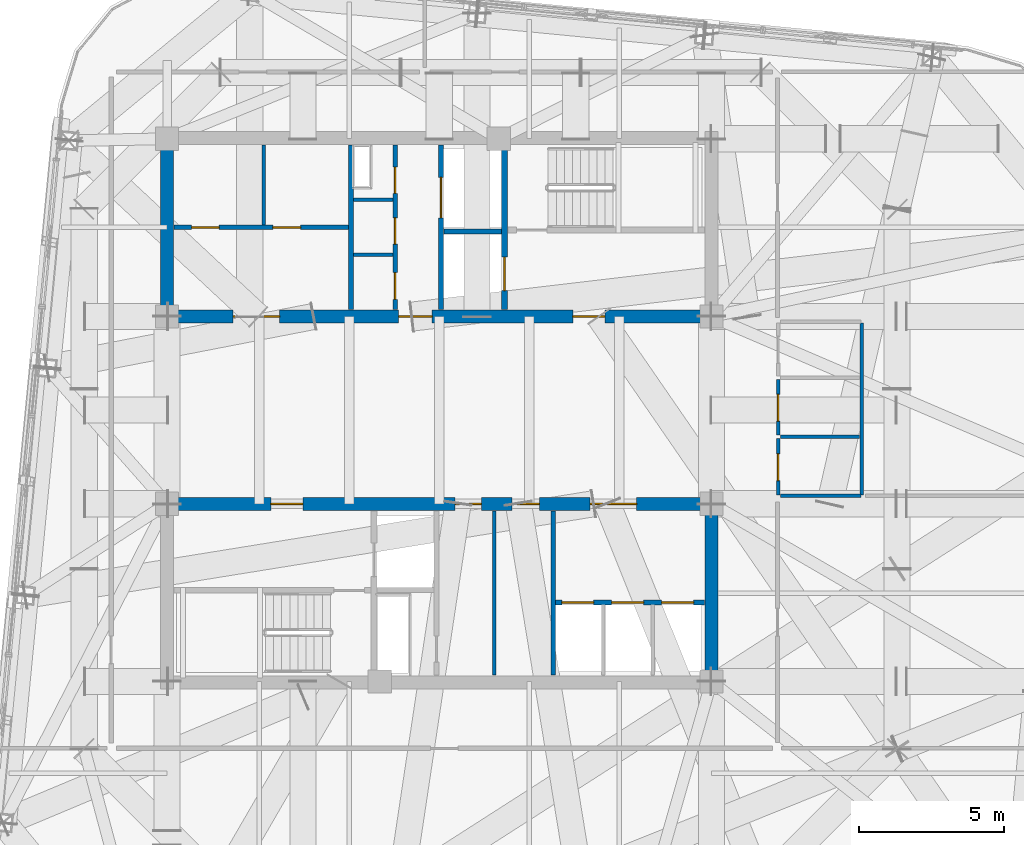
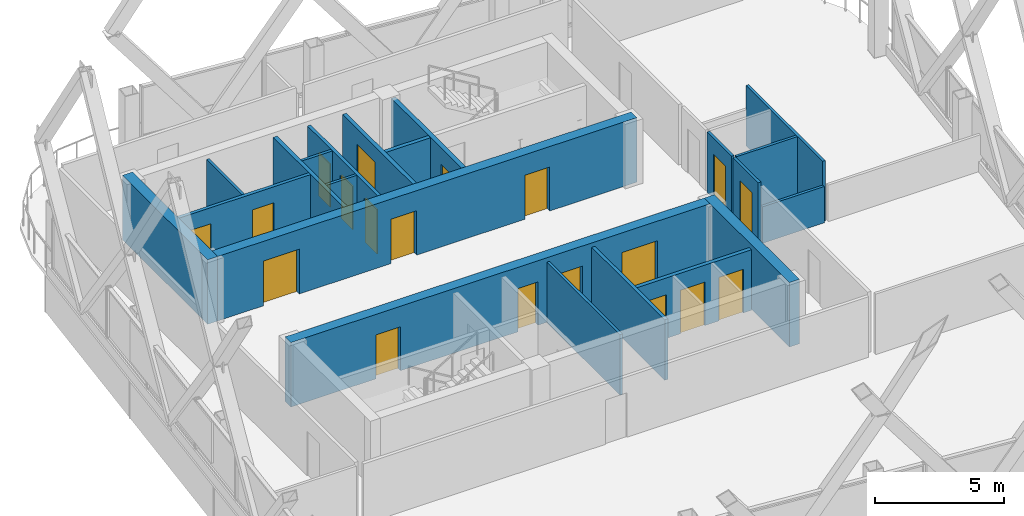
# One storey, part 26 of 31: 21 walls, 19 doors, 19 openings.
"""IFC4 building model written with IfcOpenShell, lengths in metres."""

from ifc_helpers import new_model, si_unit, direction, frame, frame_2d, origin, place, context, subcontext, project, spatial, rectangle, extrude, material, layer, layer_set, type_object, element, fill, save


model = new_model("IFC4")

# Units and contexts
model_context = context("Model", 3, precision=1e-05, world=origin(), true_north=direction((0.0, 1.0)))
body_context = subcontext(model_context, "Body", "Model", "MODEL_VIEW")
ifc_project = project(units=[si_unit("LENGTHUNIT", "METRE"), si_unit("AREAUNIT", "SQUARE_METRE"), si_unit("VOLUMEUNIT", "CUBIC_METRE"), si_unit("PLANEANGLEUNIT", "RADIAN"), si_unit("MASSUNIT", "GRAM", prefix="KILO")], contexts=[model_context])

# Site, building, storey
site_placement = place(None, origin())
site = spatial("IfcSite", under=ifc_project, at=site_placement, CompositionType="ELEMENT")
building_placement = place(site_placement, origin())
building = spatial("IfcBuilding", under=site, at=building_placement, Name="Qhalaya Broadcast Tower", CompositionType="ELEMENT")
storey_placement = place(building_placement, frame((0.0, 0.0, 242.85009765625)))
storey = spatial("IfcBuildingStorey", under=building, at=storey_placement, Name="L71", CompositionType="ELEMENT", Elevation=242.85009765625)

# Wall, openings, doors
ifc_material_1 = material(Name="Gypsum Acoustic Partition")
ifc_layer_1 = layer(ifc_material_1, 0.14990234375, Name="Gypsum Acoustic Partition")
ifc_layer_set_1 = layer_set([ifc_layer_1], Name="Gypsum Acoustic Partition")
wall_type_1 = type_object("IfcWallType", Name="Corridor & Tenancy Acoustic Partition 150", PredefinedType="PARTITIONING", material=ifc_layer_set_1)
wall_1_placement = place(storey_placement, frame((-1.52001953125, 4.070068359375, 0.0), z_axis=(0.0, 0.0, 1.0), x_axis=(0.0, 1.0, 0.0)))
wall_1 = element("IfcWall", 1, at=wall_1_placement, inside=storey, type_object=wall_type_1, Name="L71 Partition Wall NCW-SVL", PredefinedType="PARTITIONING", context=body_context, shape_type="SweptSolid", body=[
    extrude(rectangle(XDim=5.659912109375, YDim=0.14990234375, at=frame_2d((2.830078125, 0.0))), origin(), (0.0, 0.0, 1.0), 2.85986328125),
])
opening_1_placement = place(wall_1_placement, frame((4.0, 0.0, 0.0)))
opening_1 = element("IfcOpeningElement", 2, at=opening_1_placement, cuts=wall_1, Name="Opening D06", PredefinedType="OPENING", context=body_context, shape_type="SweptSolid", body=[
    extrude(rectangle(XDim=0.89990234375, YDim=2.050048828125, at=frame_2d((0.449951171875, 1.02490234375))), frame((0.0, 0.0869140625, 0.0), z_axis=(0.0, -1.0, 0.0), x_axis=(1.0, 0.0, 0.0)), (0.0, 0.0, 1.0), 0.173828125),
])
opening_2_placement = place(wall_1_placement, frame((2.25, 0.0, 0.0)))
opening_2 = element("IfcOpeningElement", 3, at=opening_2_placement, cuts=wall_1, Name="Opening D06", PredefinedType="OPENING", context=body_context, shape_type="SweptSolid", body=[
    extrude(rectangle(XDim=0.89990234375, YDim=2.050048828125, at=frame_2d((0.449951171875, 1.02490234375))), frame((0.0, 0.0869140625, 0.0), z_axis=(0.0, -1.0, 0.0), x_axis=(1.0, 0.0, 0.0)), (0.0, 0.0, 1.0), 0.173828125),
])
opening_3_placement = place(wall_1_placement, frame((0.35009765625, 0.0, 0.0)))
opening_3 = element("IfcOpeningElement", 4, at=opening_3_placement, cuts=wall_1, Name="Opening D12", PredefinedType="OPENING", context=body_context, shape_type="SweptSolid", body=[
    extrude(rectangle(XDim=0.919921875, YDim=2.10009765625, at=frame_2d((0.4599609375, 1.050048828125))), frame((0.0, 0.0869140625, 0.0), z_axis=(0.0, -1.0, 0.0), x_axis=(1.0, 0.0, 0.0)), (0.0, 0.0, 1.0), 0.173828125),
])
ifc_material_2 = material(Name="Timber Veneer Acoustic Door", Category="wood")
door_type_1 = type_object("IfcDoorType", Name="Accessible WC & Restroom Door D12", OperationType="NOTDEFINED", PredefinedType="DOOR", material=ifc_material_2)
door_1_placement = place(opening_3_placement, origin())
door_1 = element("IfcDoor", 5, at=door_1_placement, inside=storey, type_object=door_type_1, Name="L71 Door D-NCWC", OperationType="SINGLE_SWING_RIGHT", OverallHeight=2.10009765625, OverallWidth=0.919921875, PredefinedType="DOOR", context=body_context, shape_type="SweptSolid", body=[
    extrude(rectangle(XDim=0.919921875, YDim=2.10009765625, at=frame_2d((0.4599609375, 1.050048828125))), frame((0.0, 0.02490234375, 0.0), z_axis=(0.0, -1.0, 0.0), x_axis=(1.0, 0.0, 0.0)), (0.0, 0.0, 1.0), 0.050048828125),
])
fill(opening_3, door_1)
ifc_material_3 = material(Name="Fire-Rated Steel Door", Category="steel")
door_type_2 = type_object("IfcDoorType", Name="Riser & Electrical Shaft Access Door D06", OperationType="NOTDEFINED", PredefinedType="DOOR", material=ifc_material_3)
door_2_placement = place(opening_1_placement, origin())
door_2 = element("IfcDoor", 6, at=door_2_placement, inside=storey, type_object=door_type_2, Name="L71 Riser Shaft Access Door D-NRSR", OperationType="SINGLE_SWING_RIGHT", OverallHeight=2.050048828125, OverallWidth=0.89990234375, PredefinedType="DOOR", context=body_context, shape_type="SweptSolid", body=[
    extrude(rectangle(XDim=0.89990234375, YDim=2.050048828125, at=frame_2d((0.449951171875, 1.02490234375))), frame((0.0, 0.02490234375, 0.0), z_axis=(0.0, -1.0, 0.0), x_axis=(1.0, 0.0, 0.0)), (0.0, 0.0, 1.0), 0.050048828125),
])
fill(opening_1, door_2)
door_3_placement = place(opening_2_placement, origin())
door_3 = element("IfcDoor", 7, at=door_3_placement, inside=storey, type_object=door_type_2, Name="L71 Door D-NITR", OperationType="SINGLE_SWING_LEFT", OverallHeight=2.050048828125, OverallWidth=0.89990234375, PredefinedType="DOOR", context=body_context, shape_type="SweptSolid", body=[
    extrude(rectangle(XDim=0.89990234375, YDim=2.050048828125, at=frame_2d((0.449951171875, 1.02490234375))), frame((0.0, 0.02490234375, 0.0), z_axis=(0.0, -1.0, 0.0), x_axis=(1.0, 0.0, 0.0)), (0.0, 0.0, 1.0), 0.050048828125),
])
fill(opening_2, door_3)

wall_2_placement = place(storey_placement, frame((-9.1298828125, 6.89990234375, 0.0), z_axis=(0.0, 0.0, 1.0), x_axis=(1.0, 0.0, 0.0)))
wall_2 = element("IfcWall", 8, at=wall_2_placement, inside=storey, type_object=wall_type_1, Name="L71 Partition Wall NCW-REC1", PredefinedType="PARTITIONING", context=body_context, shape_type="SweptSolid", body=[
    extrude(rectangle(XDim=6.009765625, YDim=0.14990234375, at=frame_2d((3.0048828125, 0.0))), origin(), (0.0, 0.0, 1.0), 2.85986328125),
])
opening_4_placement = place(wall_2_placement, frame((0.60009765625, 0.0, 0.0)))
opening_4 = element("IfcOpeningElement", 9, at=opening_4_placement, cuts=wall_2, Name="Opening D10", PredefinedType="OPENING", context=body_context, shape_type="SweptSolid", body=[
    extrude(rectangle(XDim=0.949951171875, YDim=2.10009765625, at=frame_2d((0.47509765625, 1.050048828125))), frame((0.0, 0.0869140625, 0.0), z_axis=(0.0, -1.0, 0.0), x_axis=(1.0, 0.0, 0.0)), (0.0, 0.0, 1.0), 0.173828125),
])
opening_5_placement = place(wall_2_placement, frame((3.39990234375, 0.0, 0.0)))
opening_5 = element("IfcOpeningElement", 10, at=opening_5_placement, cuts=wall_2, Name="Opening D10", PredefinedType="OPENING", context=body_context, shape_type="SweptSolid", body=[
    extrude(rectangle(XDim=0.949951171875, YDim=2.10009765625, at=frame_2d((0.47509765625, 1.050048828125))), frame((0.0, 0.0869140625, 0.0), z_axis=(0.0, -1.0, 0.0), x_axis=(1.0, 0.0, 0.0)), (0.0, 0.0, 1.0), 0.173828125),
])
door_type_3 = type_object("IfcDoorType", Name="Cellular Office & Edit Booth Door D10", OperationType="NOTDEFINED", PredefinedType="DOOR", material=ifc_material_2)
door_4_placement = place(opening_4_placement, origin())
door_4 = element("IfcDoor", 11, at=door_4_placement, inside=storey, type_object=door_type_3, Name="L71 Door D-NREC1", OperationType="SINGLE_SWING_LEFT", OverallHeight=2.10009765625, OverallWidth=0.949951171875, PredefinedType="DOOR", context=body_context, shape_type="SweptSolid", body=[
    extrude(rectangle(XDim=0.949951171875, YDim=2.10009765625, at=frame_2d((0.47509765625, 1.050048828125))), frame((0.0, 0.02490234375, 0.0), z_axis=(0.0, -1.0, 0.0), x_axis=(1.0, 0.0, 0.0)), (0.0, 0.0, 1.0), 0.050048828125),
])
fill(opening_4, door_4)
door_5_placement = place(opening_5_placement, origin())
door_5 = element("IfcDoor", 12, at=door_5_placement, inside=storey, type_object=door_type_3, Name="L71 Door D-NREC2", OperationType="SINGLE_SWING_RIGHT", OverallHeight=2.10009765625, OverallWidth=0.949951171875, PredefinedType="DOOR", context=body_context, shape_type="SweptSolid", body=[
    extrude(rectangle(XDim=0.949951171875, YDim=2.10009765625, at=frame_2d((0.47509765625, 1.050048828125))), frame((0.0, 0.02490234375, 0.0), z_axis=(0.0, -1.0, 0.0), x_axis=(1.0, 0.0, 0.0)), (0.0, 0.0, 1.0), 0.050048828125),
])
fill(opening_5, door_5)

# Wall
wall_3_placement = place(storey_placement, frame((3.919921875, -8.530029296875, 0.0), z_axis=(0.0, 0.0, 1.0), x_axis=(0.0, 1.0, 0.0)))
element("IfcWall", 13, at=wall_3_placement, inside=storey, type_object=wall_type_1, Name="L71 Partition Wall SCW-HSEP", PredefinedType="PARTITIONING", context=body_context, shape_type="SweptSolid", body=[
    extrude(rectangle(XDim=5.659912109375, YDim=0.14990234375, at=frame_2d((2.830078125, 0.0))), origin(), (0.0, 0.0, 1.0), 2.85986328125),
])

# Wall, opening, door
ifc_material_4 = material(Name="Concrete C50/60", Category="concrete")
ifc_layer_2 = layer(ifc_material_4, 0.199951171875, Name="Concrete C50/60")
ifc_layer_set_2 = layer_set([ifc_layer_2], Name="Concrete C50/60")
wall_type_2 = type_object("IfcWallType", Name="Load-Bearing Stair Shaft Wall 200", PredefinedType="SHEAR", material=ifc_layer_set_2)
wall_4_placement = place(storey_placement, frame((2.25, 4.070068359375, 0.0), z_axis=(0.0, 0.0, 1.0), x_axis=(0.0, 1.0, 0.0)))
wall_4 = element("IfcWall", 14, at=wall_4_placement, inside=storey, type_object=wall_type_2, Name="L71 Stair Core Shear Wall NCW-FF", PredefinedType="SHEAR", context=body_context, shape_type="SweptSolid", body=[
    extrude(rectangle(XDim=5.659912109375, YDim=0.199951171875, at=frame_2d((2.830078125, 0.0))), origin(), (0.0, 0.0, 1.0), 2.85986328125),
])
opening_6_placement = place(wall_4_placement, frame((0.64990234375, 0.0, 0.0)))
opening_6 = element("IfcOpeningElement", 15, at=opening_6_placement, cuts=wall_4, Name="Opening LD2", PredefinedType="OPENING", context=body_context, shape_type="SweptSolid", body=[
    extrude(rectangle(XDim=1.14990234375, YDim=2.080078125, at=frame_2d((0.574951171875, 1.0400390625))), frame((0.0, 0.112060546875, 0.0), z_axis=(0.0, -1.0, 0.0), x_axis=(1.0, 0.0, 0.0)), (0.0, 0.0, 1.0), 0.223876953125),
])
ifc_material_5 = material(Name="Brushed Stainless Steel Lift Door", Category="steel")
door_type_4 = type_object("IfcDoorType", Name="Firefighting Lift Sliding Landing Door LD2", OperationType="DOUBLE_DOOR_SLIDING", PredefinedType="DOOR", material=ifc_material_5)
door_6_placement = place(opening_6_placement, origin())
door_6 = element("IfcDoor", 16, at=door_6_placement, inside=storey, type_object=door_type_4, Name="L71 Door LD-FF1", OperationType="DOUBLE_DOOR_SLIDING", OverallHeight=2.080078125, OverallWidth=1.14990234375, PredefinedType="DOOR", context=body_context, shape_type="SweptSolid", body=[
    extrude(rectangle(XDim=1.14990234375, YDim=2.080078125, at=frame_2d((0.574951171875, 1.0400390625))), frame((0.0, 0.02490234375, 0.0), z_axis=(0.0, -1.0, 0.0), x_axis=(1.0, 0.0, 0.0)), (0.0, 0.0, 1.0), 0.050048828125),
])
fill(opening_6, door_6)

# Walls
ifc_layer_3 = layer(ifc_material_1, 0.1201171875, Name="Gypsum Acoustic Partition")
ifc_layer_set_3 = layer_set([ifc_layer_3], Name="Gypsum Acoustic Partition")
wall_type_3 = type_object("IfcWallType", Name="Office, Booth & Sanitary Partition 120", PredefinedType="PARTITIONING", material=ifc_layer_set_3)
for number, where, z_axis, x_axis, name in (
    (17, (-2.9599609375, 5.949951171875, 0.0), (0.0, 0.0, 1.0), (1.0, 0.0, 0.0), "L71 Partition Wall NCW-VB1"),
    (18, (-2.9599609375, 7.85009765625, 0.0), (0.0, 0.0, 1.0), (1.0, 0.0, 0.0), "L71 Partition Wall NCW-VB2"),
):
    element("IfcWall", number, at=place(storey_placement, frame(where, z_axis=z_axis, x_axis=x_axis)), inside=storey, type_object=wall_type_3, Name=name, PredefinedType="PARTITIONING", context=body_context, shape_type="SweptSolid", body=[
        extrude(rectangle(XDim=1.35986328125, YDim=0.1201171875, at=frame_2d((0.679931640625, 0.0))), origin(), (0.0, 0.0, 1.0), 2.85986328125),
    ])
wall_5_placement = place(storey_placement, frame((-6.050048828125, 6.97998046875, 0.0), z_axis=(0.0, 0.0, 1.0), x_axis=(0.0, 1.0, 0.0)))
element("IfcWall", 19, at=wall_5_placement, inside=storey, type_object=wall_type_3, Name="L71 Partition Wall NCW-REC2", PredefinedType="PARTITIONING", context=body_context, shape_type="SweptSolid", body=[
    extrude(rectangle(XDim=2.75, YDim=0.1201171875, at=frame_2d((1.375, 0.0))), origin(), (0.0, 0.0, 1.0), 2.85986328125),
])
wall_6_placement = place(storey_placement, frame((1.89990234375, -8.530029296875, 0.0), z_axis=(0.0, 0.0, 1.0), x_axis=(0.0, 1.0, 0.0)))
element("IfcWall", 20, at=wall_6_placement, inside=storey, type_object=wall_type_3, Name="L71 Partition Wall SCW-RKB", PredefinedType="PARTITIONING", context=body_context, shape_type="SweptSolid", body=[
    extrude(rectangle(XDim=5.659912109375, YDim=0.1201171875, at=frame_2d((2.830078125, 0.0))), origin(), (0.0, 0.0, 1.0), 2.85986328125),
])

# Wall, opening, door
wall_7_placement = place(storey_placement, frame((11.669921875, -2.320068359375, 0.0), z_axis=(0.0, 0.0, 1.0), x_axis=(0.0, 1.0, 0.0)))
wall_7 = element("IfcWall", 21, at=wall_7_placement, inside=storey, type_object=wall_type_3, Name="L71 Partition Wall W-WCWA", PredefinedType="PARTITIONING", context=body_context, shape_type="SweptSolid", body=[
    extrude(rectangle(XDim=1.940185546875, YDim=0.1201171875, at=frame_2d((0.97021484375, 0.0))), origin(), (0.0, 0.0, 1.0), 2.85986328125),
])
opening_7_placement = place(wall_7_placement, frame((0.4951171875, 0.0, 0.0)))
opening_7 = element("IfcOpeningElement", 22, at=opening_7_placement, cuts=wall_7, Name="Opening D12", PredefinedType="OPENING", context=body_context, shape_type="SweptSolid", body=[
    extrude(rectangle(XDim=0.919921875, YDim=2.10009765625, at=frame_2d((0.4599609375, 1.050048828125))), frame((0.0, 0.072021484375, 0.0), z_axis=(0.0, -1.0, 0.0), x_axis=(1.0, 0.0, 0.0)), (0.0, 0.0, 1.0), 0.14404296875),
])
door_7_placement = place(opening_7_placement, origin())
door_7 = element("IfcDoor", 23, at=door_7_placement, inside=storey, type_object=door_type_1, Name="L71 Door D-WCA", OperationType="SINGLE_SWING_LEFT", OverallHeight=2.10009765625, OverallWidth=0.919921875, PredefinedType="DOOR", context=body_context, shape_type="SweptSolid", body=[
    extrude(rectangle(XDim=0.919921875, YDim=2.10009765625, at=frame_2d((0.4599609375, 1.050048828125))), frame((0.0, 0.02490234375, 0.0), z_axis=(0.0, -1.0, 0.0), x_axis=(1.0, 0.0, 0.0)), (0.0, 0.0, 1.0), 0.050048828125),
])
fill(opening_7, door_7)

wall_8_placement = place(storey_placement, frame((11.669921875, -0.25, 0.0), z_axis=(0.0, 0.0, 1.0), x_axis=(0.0, 1.0, 0.0)))
wall_8 = element("IfcWall", 24, at=wall_8_placement, inside=storey, type_object=wall_type_3, Name="L71 Partition Wall W-WCWM", PredefinedType="PARTITIONING", context=body_context, shape_type="SweptSolid", body=[
    extrude(rectangle(XDim=1.89990234375, YDim=0.1201171875, at=frame_2d((0.949951171875, 0.0))), origin(), (0.0, 0.0, 1.0), 2.85986328125),
])
opening_8_placement = place(wall_8_placement, frame((0.47509765625, 0.0, 0.0)))
opening_8 = element("IfcOpeningElement", 25, at=opening_8_placement, cuts=wall_8, Name="Opening D12", PredefinedType="OPENING", context=body_context, shape_type="SweptSolid", body=[
    extrude(rectangle(XDim=0.919921875, YDim=2.10009765625, at=frame_2d((0.4599609375, 1.050048828125))), frame((0.0, 0.072021484375, 0.0), z_axis=(0.0, -1.0, 0.0), x_axis=(1.0, 0.0, 0.0)), (0.0, 0.0, 1.0), 0.14404296875),
])
door_8_placement = place(opening_8_placement, origin())
door_8 = element("IfcDoor", 26, at=door_8_placement, inside=storey, type_object=door_type_1, Name="L71 Door D-WCM", OperationType="SINGLE_SWING_RIGHT", OverallHeight=2.10009765625, OverallWidth=0.919921875, PredefinedType="DOOR", context=body_context, shape_type="SweptSolid", body=[
    extrude(rectangle(XDim=0.919921875, YDim=2.10009765625, at=frame_2d((0.4599609375, 1.050048828125))), frame((0.0, 0.02490234375, 0.0), z_axis=(0.0, -1.0, 0.0), x_axis=(1.0, 0.0, 0.0)), (0.0, 0.0, 1.0), 0.050048828125),
])
fill(opening_8, door_8)

# Walls
wall_9_placement = place(storey_placement, frame((14.550048828125, -2.320068359375, 0.0), z_axis=(0.0, 0.0, 1.0), x_axis=(0.0, 1.0, 0.0)))
element("IfcWall", 27, at=wall_9_placement, inside=storey, type_object=wall_type_3, Name="L71 Partition Wall W-WCE", PredefinedType="PARTITIONING", context=body_context, shape_type="SweptSolid", body=[
    extrude(rectangle(XDim=5.93017578125, YDim=0.1201171875, at=frame_2d((2.965087890625, 0.0))), origin(), (0.0, 0.0, 1.0), 2.85986328125),
])
wall_10_placement = place(storey_placement, frame((11.760009765625, -2.35009765625, 0.0), z_axis=(0.0, 0.0, 1.0), x_axis=(1.0, 0.0, 0.0)))
element("IfcWall", 28, at=wall_10_placement, inside=storey, type_object=wall_type_3, Name="L71 Partition Wall W-WCS", PredefinedType="PARTITIONING", context=body_context, shape_type="SweptSolid", body=[
    extrude(rectangle(XDim=2.760009765625, YDim=0.1201171875, at=frame_2d((1.3798828125, 0.0))), origin(), (0.0, 0.0, 1.0), 1.721923828125),
])
wall_11_placement = place(storey_placement, frame((11.760009765625, -0.320068359375, 0.0), z_axis=(0.0, 0.0, 1.0), x_axis=(1.0, 0.0, 0.0)))
element("IfcWall", 29, at=wall_11_placement, inside=storey, type_object=wall_type_3, Name="L71 Partition Wall W-WCD1", PredefinedType="PARTITIONING", context=body_context, shape_type="SweptSolid", body=[
    extrude(rectangle(XDim=2.719970703125, YDim=0.1201171875, at=frame_2d((1.35986328125, 0.0))), origin(), (0.0, 0.0, 1.0), 2.85986328125),
])

# Wall, opening, door
ifc_layer_4 = layer(ifc_material_1, 0.175048828125, Name="Gypsum Acoustic Partition")
ifc_layer_set_4 = layer_set([ifc_layer_4], Name="Gypsum Acoustic Partition")
wall_type_4 = type_object("IfcWallType", Name="Shaft & Riser Fire Partition 175", PredefinedType="PARTITIONING", material=ifc_layer_set_4)
wall_12_placement = place(storey_placement, frame((0.06005859375, 4.070068359375, 0.0), z_axis=(0.0, 0.0, 1.0), x_axis=(0.0, 1.0, 0.0)))
wall_12 = element("IfcWall", 30, at=wall_12_placement, inside=storey, type_object=wall_type_4, Name="L71 Partition Wall NCW-SVW", PredefinedType="PARTITIONING", context=body_context, shape_type="SweptSolid", body=[
    extrude(rectangle(XDim=5.659912109375, YDim=0.175048828125, at=frame_2d((2.830078125, 0.0))), origin(), (0.0, 0.0, 1.0), 2.85986328125),
])
opening_9_placement = place(wall_12_placement, frame((3.14990234375, 0.0, 0.0)))
opening_9 = element("IfcOpeningElement", 31, at=opening_9_placement, cuts=wall_12, Name="Opening LD3", PredefinedType="OPENING", context=body_context, shape_type="SweptSolid", body=[
    extrude(rectangle(XDim=1.39990234375, YDim=2.1201171875, at=frame_2d((0.699951171875, 1.06005859375))), frame((0.0, 0.099609375, 0.0), z_axis=(0.0, -1.0, 0.0), x_axis=(1.0, 0.0, 0.0)), (0.0, 0.0, 1.0), 0.198974609375),
])
door_type_5 = type_object("IfcDoorType", Name="Service Lift Wide Sliding Landing Door LD3", OperationType="DOUBLE_DOOR_SLIDING", PredefinedType="DOOR", material=ifc_material_5)
door_9_placement = place(opening_9_placement, origin())
door_9 = element("IfcDoor", 32, at=door_9_placement, inside=storey, type_object=door_type_5, Name="L71 Door LD-SV1", OperationType="DOUBLE_DOOR_SLIDING", OverallHeight=2.1201171875, OverallWidth=1.39990234375, PredefinedType="DOOR", context=body_context, shape_type="SweptSolid", body=[
    extrude(rectangle(XDim=1.39990234375, YDim=2.1201171875, at=frame_2d((0.699951171875, 1.06005859375))), frame((0.0, 0.02490234375, 0.0), z_axis=(0.0, -1.0, 0.0), x_axis=(1.0, 0.0, 0.0)), (0.0, 0.0, 1.0), 0.050048828125),
])
fill(opening_9, door_9)

# Walls
wall_13_placement = place(storey_placement, frame((0.159912109375, 6.75, 0.0), z_axis=(0.0, 0.0, 1.0), x_axis=(1.0, 0.0, 0.0)))
element("IfcWall", 33, at=wall_13_placement, inside=storey, type_object=wall_type_4, Name="L71 Partition Wall NCW-SVM", PredefinedType="PARTITIONING", context=body_context, shape_type="SweptSolid", body=[
    extrude(rectangle(XDim=1.97998046875, YDim=0.175048828125, at=frame_2d((0.989990234375, 0.0))), origin(), (0.0, 0.0, 1.0), 2.85986328125),
])
wall_14_placement = place(storey_placement, frame((-3.0400390625, 4.070068359375, 0.0), z_axis=(0.0, 0.0, 1.0), x_axis=(0.0, 1.0, 0.0)))
element("IfcWall", 34, at=wall_14_placement, inside=storey, type_object=wall_type_4, Name="L71 Partition Wall NCW-VRW", PredefinedType="PARTITIONING", context=body_context, shape_type="SweptSolid", body=[
    extrude(rectangle(XDim=5.659912109375, YDim=0.175048828125, at=frame_2d((2.830078125, 0.0))), origin(), (0.0, 0.0, 1.0), 2.85986328125),
])

# Wall, openings, doors
wall_15_placement = place(storey_placement, frame((4.0, -6.02001953125, 0.0), z_axis=(0.0, 0.0, 1.0), x_axis=(1.0, 0.0, 0.0)))
wall_15 = element("IfcWall", 35, at=wall_15_placement, inside=storey, type_object=wall_type_4, Name="L71 Partition Wall SCW-SLB", PredefinedType="PARTITIONING", context=body_context, shape_type="SweptSolid", body=[
    extrude(rectangle(XDim=5.1298828125, YDim=0.175048828125, at=frame_2d((2.56494140625, 0.0))), origin(), (0.0, 0.0, 1.0), 2.85986328125),
])
opening_10_placement = place(wall_15_placement, frame((0.219970703125, 0.0, 0.0)))
opening_10 = element("IfcOpeningElement", 36, at=opening_10_placement, cuts=wall_15, Name="Opening LD1", PredefinedType="OPENING", context=body_context, shape_type="SweptSolid", body=[
    extrude(rectangle(XDim=1.10009765625, YDim=2.06005859375, at=frame_2d((0.550048828125, 1.030029296875))), frame((0.0, 0.099609375, 0.0), z_axis=(0.0, -1.0, 0.0), x_axis=(1.0, 0.0, 0.0)), (0.0, 0.0, 1.0), 0.198974609375),
])
opening_11_placement = place(wall_15_placement, frame((1.93994140625, 0.0, 0.0)))
opening_11 = element("IfcOpeningElement", 37, at=opening_11_placement, cuts=wall_15, Name="Opening LD1", PredefinedType="OPENING", context=body_context, shape_type="SweptSolid", body=[
    extrude(rectangle(XDim=1.10009765625, YDim=2.06005859375, at=frame_2d((0.550048828125, 1.030029296875))), frame((0.0, 0.099609375, 0.0), z_axis=(0.0, -1.0, 0.0), x_axis=(1.0, 0.0, 0.0)), (0.0, 0.0, 1.0), 0.198974609375),
])
opening_12_placement = place(wall_15_placement, frame((3.659912109375, 0.0, 0.0)))
opening_12 = element("IfcOpeningElement", 38, at=opening_12_placement, cuts=wall_15, Name="Opening LD1", PredefinedType="OPENING", context=body_context, shape_type="SweptSolid", body=[
    extrude(rectangle(XDim=1.10009765625, YDim=2.06005859375, at=frame_2d((0.550048828125, 1.030029296875))), frame((0.0, 0.099609375, 0.0), z_axis=(0.0, -1.0, 0.0), x_axis=(1.0, 0.0, 0.0)), (0.0, 0.0, 1.0), 0.198974609375),
])
door_type_6 = type_object("IfcDoorType", Name="Passenger Lift Sliding Landing Door LD1", OperationType="DOUBLE_DOOR_SLIDING", PredefinedType="DOOR", material=ifc_material_5)
door_10_placement = place(opening_10_placement, origin())
door_10 = element("IfcDoor", 39, at=door_10_placement, inside=storey, type_object=door_type_6, Name="L71 Door LD-P6", OperationType="DOUBLE_DOOR_SLIDING", OverallHeight=2.06005859375, OverallWidth=1.10009765625, PredefinedType="DOOR", context=body_context, shape_type="SweptSolid", body=[
    extrude(rectangle(XDim=1.10009765625, YDim=2.06005859375, at=frame_2d((0.550048828125, 1.030029296875))), frame((0.0, 0.02490234375, 0.0), z_axis=(0.0, -1.0, 0.0), x_axis=(1.0, 0.0, 0.0)), (0.0, 0.0, 1.0), 0.050048828125),
])
fill(opening_10, door_10)
door_11_placement = place(opening_11_placement, origin())
door_11 = element("IfcDoor", 40, at=door_11_placement, inside=storey, type_object=door_type_6, Name="L71 Door LD-P7", OperationType="DOUBLE_DOOR_SLIDING", OverallHeight=2.06005859375, OverallWidth=1.10009765625, PredefinedType="DOOR", context=body_context, shape_type="SweptSolid", body=[
    extrude(rectangle(XDim=1.10009765625, YDim=2.06005859375, at=frame_2d((0.550048828125, 1.030029296875))), frame((0.0, 0.02490234375, 0.0), z_axis=(0.0, -1.0, 0.0), x_axis=(1.0, 0.0, 0.0)), (0.0, 0.0, 1.0), 0.050048828125),
])
fill(opening_11, door_11)
door_12_placement = place(opening_12_placement, origin())
door_12 = element("IfcDoor", 41, at=door_12_placement, inside=storey, type_object=door_type_6, Name="L71 Door LD-P8", OperationType="DOUBLE_DOOR_SLIDING", OverallHeight=2.06005859375, OverallWidth=1.10009765625, PredefinedType="DOOR", context=body_context, shape_type="SweptSolid", body=[
    extrude(rectangle(XDim=1.10009765625, YDim=2.06005859375, at=frame_2d((0.550048828125, 1.030029296875))), frame((0.0, 0.02490234375, 0.0), z_axis=(0.0, -1.0, 0.0), x_axis=(1.0, 0.0, 0.0)), (0.0, 0.0, 1.0), 0.050048828125),
])
fill(opening_12, door_12)

ifc_layer_5 = layer(ifc_material_4, 0.449951171875, Name="Concrete C50/60")
ifc_layer_set_5 = layer_set([ifc_layer_5], Name="Concrete C50/60")
wall_type_5 = type_object("IfcWallType", Name="Upper Split-Core Shear Wall 450", PredefinedType="SHEAR", material=ifc_layer_set_5)
wall_16_placement = place(storey_placement, frame((-9.60009765625, 3.824951171875, 0.0), z_axis=(0.0, 0.0, 1.0), x_axis=(1.0, 0.0, 0.0)))
wall_16 = element("IfcWall", 42, at=wall_16_placement, inside=storey, type_object=wall_type_5, Name="L71 Split-Core Shear Wall CW-NS", PredefinedType="SHEAR", context=body_context, shape_type="SweptSolid", body=[
    extrude(rectangle(XDim=19.2001953125, YDim=0.449951171875, at=frame_2d((9.60009765625, 0.0))), origin(), (0.0, 0.0, 1.0), 3.0498046875),
])
opening_13_placement = place(wall_16_placement, frame((14.199951171875, 0.0, 0.0)))
opening_13 = element("IfcOpeningElement", 43, at=opening_13_placement, cuts=wall_16, Name="Opening D04", PredefinedType="OPENING", context=body_context, shape_type="SweptSolid", body=[
    extrude(rectangle(XDim=1.10009765625, YDim=2.080078125, at=frame_2d((0.550048828125, 1.0400390625))), frame((0.0, 0.237060546875, 0.0), z_axis=(0.0, -1.0, 0.0), x_axis=(1.0, 0.0, 0.0)), (0.0, 0.0, 1.0), 0.473876953125),
])
opening_14_placement = place(wall_16_placement, frame((8.199951171875, 0.0, 0.0)))
opening_14 = element("IfcOpeningElement", 44, at=opening_14_placement, cuts=wall_16, Name="Opening D05", PredefinedType="OPENING", context=body_context, shape_type="SweptSolid", body=[
    extrude(rectangle(XDim=1.14990234375, YDim=2.10009765625, at=frame_2d((0.574951171875, 1.050048828125))), frame((0.0, 0.237060546875, 0.0), z_axis=(0.0, -1.0, 0.0), x_axis=(1.0, 0.0, 0.0)), (0.0, 0.0, 1.0), 0.473876953125),
])
opening_15_placement = place(wall_16_placement, frame((2.5, 0.0, 0.0)))
opening_15 = element("IfcOpeningElement", 45, at=opening_15_placement, cuts=wall_16, Name="Opening D07", PredefinedType="OPENING", context=body_context, shape_type="SweptSolid", body=[
    extrude(rectangle(XDim=1.60009765625, YDim=2.1201171875, at=frame_2d((0.800048828125, 1.06005859375))), frame((0.0, 0.237060546875, 0.0), z_axis=(0.0, -1.0, 0.0), x_axis=(1.0, 0.0, 0.0)), (0.0, 0.0, 1.0), 0.473876953125),
])
door_type_7 = type_object("IfcDoorType", Name="Firefighting Lobby Rated Door D04", OperationType="NOTDEFINED", PredefinedType="DOOR", material=ifc_material_3)
door_13_placement = place(opening_13_placement, origin())
door_13 = element("IfcDoor", 46, at=door_13_placement, inside=storey, type_object=door_type_7, Name="L71 Door D-NFF", OperationType="SINGLE_SWING_RIGHT", OverallHeight=2.080078125, OverallWidth=1.10009765625, PredefinedType="DOOR", context=body_context, shape_type="SweptSolid", body=[
    extrude(rectangle(XDim=1.10009765625, YDim=2.080078125, at=frame_2d((0.550048828125, 1.0400390625))), frame((0.0, 0.02490234375, 0.0), z_axis=(0.0, -1.0, 0.0), x_axis=(1.0, 0.0, 0.0)), (0.0, 0.0, 1.0), 0.050048828125),
])
fill(opening_13, door_13)
ifc_material_6 = material(Name="Anodised Aluminium Glazed Door", Category="aluminium")
door_type_8 = type_object("IfcDoorType", Name="Passenger Lift Lobby Double Glazed Door D07", OperationType="DOUBLE_DOOR_SINGLE_SWING", PredefinedType="DOOR", material=ifc_material_6)
door_14_placement = place(opening_15_placement, origin())
door_14 = element("IfcDoor", 47, at=door_14_placement, inside=storey, type_object=door_type_8, Name="L71 Door D-NRECV", OperationType="DOUBLE_DOOR_SINGLE_SWING", OverallHeight=2.1201171875, OverallWidth=1.60009765625, PredefinedType="DOOR", context=body_context, shape_type="SweptSolid", body=[
    extrude(rectangle(XDim=1.60009765625, YDim=2.1201171875, at=frame_2d((0.800048828125, 1.06005859375))), frame((0.0, 0.02490234375, 0.0), z_axis=(0.0, -1.0, 0.0), x_axis=(1.0, 0.0, 0.0)), (0.0, 0.0, 1.0), 0.050048828125),
])
fill(opening_15, door_14)
door_type_9 = type_object("IfcDoorType", Name="Refuge & Plant Room Fire Door D05", OperationType="NOTDEFINED", PredefinedType="DOOR", material=ifc_material_3)
door_15_placement = place(opening_14_placement, origin())
door_15 = element("IfcDoor", 48, at=door_15_placement, inside=storey, type_object=door_type_9, Name="L71 Door D-NSVL", OperationType="SINGLE_SWING_LEFT", OverallHeight=2.10009765625, OverallWidth=1.14990234375, PredefinedType="DOOR", context=body_context, shape_type="SweptSolid", body=[
    extrude(rectangle(XDim=1.14990234375, YDim=2.10009765625, at=frame_2d((0.574951171875, 1.050048828125))), frame((0.0, 0.02490234375, 0.0), z_axis=(0.0, -1.0, 0.0), x_axis=(1.0, 0.0, 0.0)), (0.0, 0.0, 1.0), 0.050048828125),
])
fill(opening_14, door_15)

# Wall
wall_17_placement = place(storey_placement, frame((-9.375, 3.60009765625, 0.0), z_axis=(0.0, 0.0, 1.0), x_axis=(0.0, 1.0, 0.0)))
element("IfcWall", 49, at=wall_17_placement, inside=storey, type_object=wall_type_5, Name="L71 Split-Core Shear Wall CW-NW", PredefinedType="SHEAR", context=body_context, shape_type="SweptSolid", body=[
    extrude(rectangle(XDim=6.599853515625, YDim=0.449951171875, at=frame_2d((3.2998046875, 0.0))), origin(), (0.0, 0.0, 1.0), 3.0498046875),
])

# Wall, openings, doors
wall_18_placement = place(storey_placement, frame((-9.60009765625, -2.625, 0.0), z_axis=(0.0, 0.0, 1.0), x_axis=(1.0, 0.0, 0.0)))
wall_18 = element("IfcWall", 50, at=wall_18_placement, inside=storey, type_object=wall_type_5, Name="L71 Split-Core Shear Wall CW-SN", PredefinedType="SHEAR", context=body_context, shape_type="SweptSolid", body=[
    extrude(rectangle(XDim=19.2001953125, YDim=0.449951171875, at=frame_2d((9.60009765625, 0.0))), origin(), (0.0, 0.0, 1.0), 3.0498046875),
])
opening_16_placement = place(wall_18_placement, frame((3.800048828125, 0.0, 0.0)))
opening_16 = element("IfcOpeningElement", 51, at=opening_16_placement, cuts=wall_18, Name="Opening D04", PredefinedType="OPENING", context=body_context, shape_type="SweptSolid", body=[
    extrude(rectangle(XDim=1.10009765625, YDim=2.080078125, at=frame_2d((0.550048828125, 1.0400390625))), frame((0.0, 0.237060546875, 0.0), z_axis=(0.0, -1.0, 0.0), x_axis=(1.0, 0.0, 0.0)), (0.0, 0.0, 1.0), 0.473876953125),
])
opening_17_placement = place(wall_18_placement, frame((10.14990234375, 0.0, 0.0)))
opening_17 = element("IfcOpeningElement", 52, at=opening_17_placement, cuts=wall_18, Name="Opening D06", PredefinedType="OPENING", context=body_context, shape_type="SweptSolid", body=[
    extrude(rectangle(XDim=0.89990234375, YDim=2.050048828125, at=frame_2d((0.449951171875, 1.02490234375))), frame((0.0, 0.237060546875, 0.0), z_axis=(0.0, -1.0, 0.0), x_axis=(1.0, 0.0, 0.0)), (0.0, 0.0, 1.0), 0.473876953125),
])
opening_18_placement = place(wall_18_placement, frame((12.10009765625, 0.0, 0.0)))
opening_18 = element("IfcOpeningElement", 53, at=opening_18_placement, cuts=wall_18, Name="Opening D10", PredefinedType="OPENING", context=body_context, shape_type="SweptSolid", body=[
    extrude(rectangle(XDim=0.949951171875, YDim=2.10009765625, at=frame_2d((0.47509765625, 1.050048828125))), frame((0.0, 0.237060546875, 0.0), z_axis=(0.0, -1.0, 0.0), x_axis=(1.0, 0.0, 0.0)), (0.0, 0.0, 1.0), 0.473876953125),
])
opening_19_placement = place(wall_18_placement, frame((14.800048828125, 0.0, 0.0)))
opening_19 = element("IfcOpeningElement", 54, at=opening_19_placement, cuts=wall_18, Name="Opening D07", PredefinedType="OPENING", context=body_context, shape_type="SweptSolid", body=[
    extrude(rectangle(XDim=1.60009765625, YDim=2.1201171875, at=frame_2d((0.800048828125, 1.06005859375))), frame((0.0, 0.237060546875, 0.0), z_axis=(0.0, -1.0, 0.0), x_axis=(1.0, 0.0, 0.0)), (0.0, 0.0, 1.0), 0.473876953125),
])
door_16_placement = place(opening_18_placement, origin())
door_16 = element("IfcDoor", 55, at=door_16_placement, inside=storey, type_object=door_type_3, Name="L71 Door D-SREC2", OperationType="SINGLE_SWING_RIGHT", OverallHeight=2.10009765625, OverallWidth=0.949951171875, PredefinedType="DOOR", context=body_context, shape_type="SweptSolid", body=[
    extrude(rectangle(XDim=0.949951171875, YDim=2.10009765625, at=frame_2d((0.47509765625, 1.050048828125))), frame((0.0, 0.02490234375, 0.0), z_axis=(0.0, -1.0, 0.0), x_axis=(1.0, 0.0, 0.0)), (0.0, 0.0, 1.0), 0.050048828125),
])
fill(opening_18, door_16)
door_17_placement = place(opening_16_placement, origin())
door_17 = element("IfcDoor", 56, at=door_17_placement, inside=storey, type_object=door_type_7, Name="L71 Door D-SFF", OperationType="SINGLE_SWING_LEFT", OverallHeight=2.080078125, OverallWidth=1.10009765625, PredefinedType="DOOR", context=body_context, shape_type="SweptSolid", body=[
    extrude(rectangle(XDim=1.10009765625, YDim=2.080078125, at=frame_2d((0.550048828125, 1.0400390625))), frame((0.0, 0.02490234375, 0.0), z_axis=(0.0, -1.0, 0.0), x_axis=(1.0, 0.0, 0.0)), (0.0, 0.0, 1.0), 0.050048828125),
])
fill(opening_16, door_17)
door_18_placement = place(opening_19_placement, origin())
door_18 = element("IfcDoor", 57, at=door_18_placement, inside=storey, type_object=door_type_8, Name="L71 Door D-SPLL", OperationType="DOUBLE_DOOR_SINGLE_SWING", OverallHeight=2.1201171875, OverallWidth=1.60009765625, PredefinedType="DOOR", context=body_context, shape_type="SweptSolid", body=[
    extrude(rectangle(XDim=1.60009765625, YDim=2.1201171875, at=frame_2d((0.800048828125, 1.06005859375))), frame((0.0, 0.02490234375, 0.0), z_axis=(0.0, -1.0, 0.0), x_axis=(1.0, 0.0, 0.0)), (0.0, 0.0, 1.0), 0.050048828125),
])
fill(opening_19, door_18)
door_19_placement = place(opening_17_placement, origin())
door_19 = element("IfcDoor", 58, at=door_19_placement, inside=storey, type_object=door_type_2, Name="L71 Door D-SREC1", OperationType="SINGLE_SWING_LEFT", OverallHeight=2.050048828125, OverallWidth=0.89990234375, PredefinedType="DOOR", context=body_context, shape_type="SweptSolid", body=[
    extrude(rectangle(XDim=0.89990234375, YDim=2.050048828125, at=frame_2d((0.449951171875, 1.02490234375))), frame((0.0, 0.02490234375, 0.0), z_axis=(0.0, -1.0, 0.0), x_axis=(1.0, 0.0, 0.0)), (0.0, 0.0, 1.0), 0.050048828125),
])
fill(opening_17, door_19)

# Wall
wall_19_placement = place(storey_placement, frame((9.375, -9.0, 0.0), z_axis=(0.0, 0.0, 1.0), x_axis=(0.0, 1.0, 0.0)))
element("IfcWall", 59, at=wall_19_placement, inside=storey, type_object=wall_type_5, Name="L71 Split-Core Shear Wall CW-SE", PredefinedType="SHEAR", context=body_context, shape_type="SweptSolid", body=[
    extrude(rectangle(XDim=6.60009765625, YDim=0.449951171875, at=frame_2d((3.300048828125, 0.0))), origin(), (0.0, 0.0, 1.0), 3.0498046875),
])

save(model, "model.ifc")
